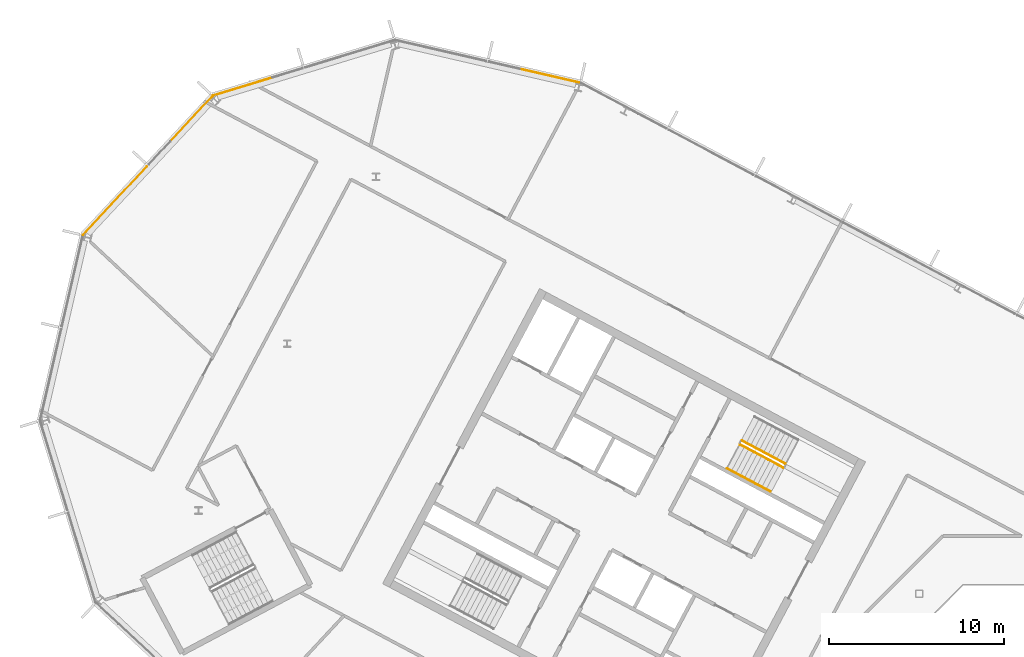
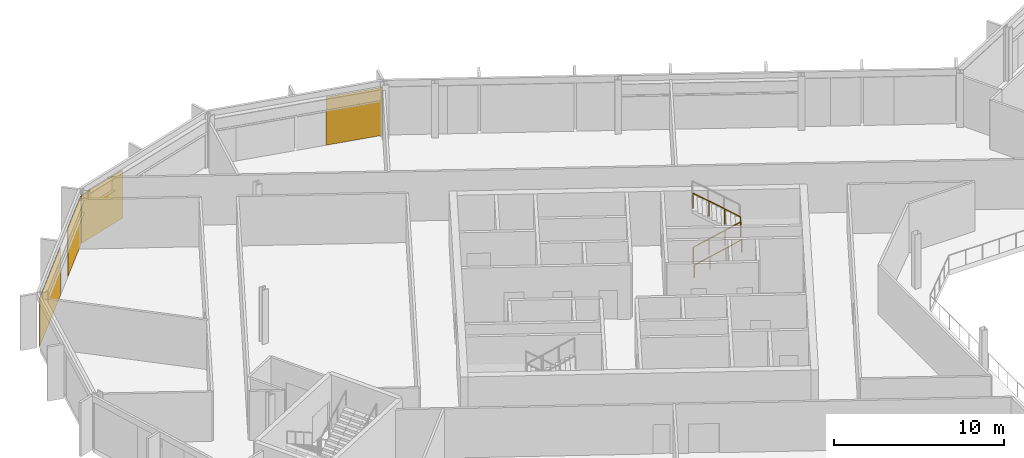
# One storey, part 22 of 26: 4 coverings, 3 railings, 3 elements without a shape of their own.
"""IFC4 building model written with IfcOpenShell, lengths in metres."""

from ifc_helpers import new_model, si_unit, direction, frame, origin, origin_2d, place, context, subcontext, project, spatial, polyline, rectangle, outline, extrude, material, layer, layer_set, type_object, element, aggregate, save


model = new_model("IFC4")

# Units and contexts
model_context = context("Model", 3, precision=1e-05, world=origin(), true_north=direction((0.0, 1.0)))
body_context = subcontext(model_context, "Body", "Model", "MODEL_VIEW")
ifc_project = project(units=[si_unit("LENGTHUNIT", "METRE"), si_unit("AREAUNIT", "SQUARE_METRE"), si_unit("VOLUMEUNIT", "CUBIC_METRE"), si_unit("PLANEANGLEUNIT", "RADIAN"), si_unit("MASSUNIT", "GRAM", prefix="KILO")], contexts=[model_context])

# Site, building, storey
site_placement = place(None, origin())
site = spatial("IfcSite", under=ifc_project, at=site_placement, CompositionType="ELEMENT")
building_placement = place(site_placement, origin())
building = spatial("IfcBuilding", under=site, at=building_placement, Name="Cormorant Relay Tower", CompositionType="ELEMENT")
storey_placement = place(building_placement, frame((0.0, 0.0, 277.5)))
storey = spatial("IfcBuildingStorey", under=building, at=storey_placement, Name="L62", CompositionType="ELEMENT", Elevation=277.5)

# Curtain wall, covering
ifc_material_1 = material(Name="Aluminium 6063-T6 anodised bronze", Category="aluminium")
ifc_layer_1 = layer(ifc_material_1, 0.199951171875)
ifc_layer_set_1 = layer_set([ifc_layer_1], Name="CW1 unitised bronze curtain wall with vertical fins")
curtain_wall_type = type_object("IfcCurtainWallType", Name="CW1 unitised bronze curtain wall with vertical fins", PredefinedType="NOTDEFINED", material=ifc_layer_set_1)
curtain_wall_1_placement = place(storey_placement, origin())
curtain_wall_1 = element("IfcCurtainWall", 1, at=curtain_wall_1_placement, inside=storey, type_object=curtain_wall_type, Name="CW1 curtain wall 10", PredefinedType="NOTDEFINED")
ifc_material_2 = material(Name="Pale bronze anodised aluminium insulated panel", Category="aluminium")
ifc_layer_2 = layer(ifc_material_2, 0.0400390625)
ifc_layer_set_2 = layer_set([ifc_layer_2], Name="CW1 pale bronze insulated panel 40")
covering_type = type_object("IfcCoveringType", Name="CW1 pale bronze insulated panel 40", PredefinedType="CLADDING", material=ifc_layer_set_2)
covering_1_placement = place(storey_placement, frame((-31.640380859375, 40.096435546875, 0.0), z_axis=(0.0, 0.0, 1.0), x_axis=(-0.974370064785, 0.224951054344, 0.0)))
covering_1 = element("IfcCovering", 2, at=covering_1_placement, type_object=covering_type, Name="CW1 panel S00", PredefinedType="CLADDING", context=body_context, shape_type="SweptSolid", body=[
    extrude(rectangle(XDim=3.485107421875, YDim=0.0400390625, at=origin_2d()), origin(), (0.0, 0.0, 1.0), 3.449951171875),
])
aggregate(curtain_wall_1, [covering_1])

curtain_wall_2_placement = place(storey_placement, origin())
curtain_wall_2 = element("IfcCurtainWall", 3, at=curtain_wall_2_placement, inside=storey, type_object=curtain_wall_type, Name="CW1 curtain wall 11", PredefinedType="NOTDEFINED")
covering_2_placement = place(storey_placement, frame((-49.16455078125, 39.474853515625, 0.0), z_axis=(0.0, 0.0, 1.0), x_axis=(-0.956304755963, -0.292371704723, 0.0)))
covering_2 = element("IfcCovering", 4, at=covering_2_placement, type_object=covering_type, Name="CW1 panel S02", PredefinedType="CLADDING", context=body_context, shape_type="SweptSolid", body=[
    extrude(rectangle(XDim=3.560302734375, YDim=0.0400390625, at=origin_2d()), origin(), (0.0, 0.0, 1.0), 3.449951171875),
])
aggregate(curtain_wall_2, [covering_2])

# Curtain wall, coverings
curtain_wall_3_placement = place(storey_placement, origin())
curtain_wall_3 = element("IfcCurtainWall", 5, at=curtain_wall_3_placement, inside=storey, type_object=curtain_wall_type, Name="CW1 curtain wall 12", PredefinedType="NOTDEFINED")
covering_3_placement = place(storey_placement, frame((-52.115234375, 37.61962890625, 0.0), z_axis=(0.0, 0.0, 1.0), x_axis=(-0.681998360062, -0.731353701619, 0.0)))
covering_3 = element("IfcCovering", 6, at=covering_3_placement, type_object=covering_type, Name="CW1 panel S00", PredefinedType="CLADDING", context=body_context, shape_type="SweptSolid", body=[
    extrude(rectangle(XDim=3.485107421875, YDim=0.0400390625, at=origin_2d()), origin(), (0.0, 0.0, 1.0), 3.449951171875),
])
covering_4_placement = place(storey_placement, frame((-56.461181640625, 32.958984375, 0.0), z_axis=(0.0, 0.0, 1.0), x_axis=(-0.681998360062, -0.731353701619, 0.0)))
covering_4 = element("IfcCovering", 7, at=covering_4_placement, type_object=covering_type, Name="CW1 panel S02", PredefinedType="CLADDING", context=body_context, shape_type="SweptSolid", body=[
    extrude(rectangle(XDim=5.360107421875, YDim=0.0400390625, at=origin_2d()), origin(), (0.0, 0.0, 1.0), 3.449951171875),
])
aggregate(curtain_wall_3, [covering_3, covering_4])

# Railings
ifc_material_3 = material(Name="Steel ASTM A572 Grade 50 (Fy 345 MPa)", Category="steel")
railing_type_1 = type_object("IfcRailingType", Name="Stair guard 1100", PredefinedType="GUARDRAIL", material=ifc_material_3)
railing_1_placement = place(storey_placement, frame((-20.75048828125, 19.017822265625, 0.17724609375)))
element("IfcRailing", 8, at=railing_1_placement, inside=storey, type_object=railing_type_1, Name="L62 A1 stair guard 1", PredefinedType="GUARDRAIL", context=body_context, shape_type="SweptSolid", body=[
    extrude(outline(polyline([(0.022216796875, 0.00927734375), (0.00927734375, 0.022216796875), (-0.00927734375, 0.022216796875), (-0.022216796875, 0.00927734375), (-0.022216796875, -0.00927734375), (-0.00927734375, -0.022216796875), (0.00927734375, -0.022216796875), (0.022216796875, -0.00927734375), (0.022216796875, 0.00927734375)])), frame((0.0, 0.0, 1.076171875), z_axis=(0.746001213114, -0.396649272309, 0.534931345884), x_axis=(0.469465464807, 0.882950835185, 0.0)), (0.0, 0.0, 1.0), 3.31396484375),
    extrude(outline(polyline([(0.019287109375, 0.008056640625), (0.008056640625, 0.019287109375), (-0.008056640625, 0.019287109375), (-0.019287109375, 0.008056640625), (-0.019287109375, -0.008056640625), (-0.008056640625, -0.019287109375), (0.008056640625, -0.019287109375), (0.019287109375, -0.008056640625), (0.019287109375, 0.008056640625)])), origin(), (0.0, 0.0, 1.0), 1.052001953125),
    extrude(outline(polyline([(0.019287109375, 0.008056640625), (0.008056640625, 0.019287109375), (-0.008056640625, 0.019287109375), (-0.019287109375, 0.008056640625), (-0.019287109375, -0.008056640625), (-0.008056640625, -0.019287109375), (0.008056640625, -0.019287109375), (0.019287109375, -0.008056640625), (0.019287109375, 0.008056640625)])), frame((0.823974609375, -0.438232421875, 0.5908203125)), (0.0, 0.0, 1.0), 1.052001953125),
    extrude(outline(polyline([(0.019287109375, 0.008056640625), (0.008056640625, 0.019287109375), (-0.008056640625, 0.019287109375), (-0.019287109375, 0.008056640625), (-0.019287109375, -0.008056640625), (-0.008056640625, -0.019287109375), (0.008056640625, -0.019287109375), (0.019287109375, -0.008056640625), (0.019287109375, 0.008056640625)])), frame((1.648193359375, -0.876220703125, 1.181884765625)), (0.0, 0.0, 1.0), 1.052001953125),
    extrude(outline(polyline([(0.019287109375, 0.008056640625), (0.008056640625, 0.019287109375), (-0.008056640625, 0.019287109375), (-0.019287109375, 0.008056640625), (-0.019287109375, -0.008056640625), (-0.008056640625, -0.019287109375), (0.008056640625, -0.019287109375), (0.019287109375, -0.008056640625), (0.019287109375, 0.008056640625)])), frame((2.47216796875, -1.314453125, 1.772705078125)), (0.0, 0.0, 1.0), 1.052001953125),
])
railing_2_placement = place(storey_placement, frame((-18.160888671875, 17.924072265625, 2.127197265625)))
element("IfcRailing", 9, at=railing_2_placement, inside=storey, type_object=railing_type_1, Name="L62 A1 stair guard 3", PredefinedType="GUARDRAIL", context=body_context, shape_type="SweptSolid", body=[
    extrude(outline(polyline([(0.022216796875, 0.00927734375), (0.00927734375, 0.022216796875), (-0.00927734375, 0.022216796875), (-0.022216796875, 0.00927734375), (-0.022216796875, -0.00927734375), (-0.00927734375, -0.022216796875), (0.00927734375, -0.022216796875), (0.022216796875, -0.00927734375), (0.022216796875, 0.00927734375)])), frame((0.0, 0.0, 1.076171875), z_axis=(-0.746033882577, 0.396627473466, 0.534901947407), x_axis=(-0.469429322983, -0.882970050864, 0.0)), (0.0, 0.0, 1.0), 3.31396484375),
    extrude(outline(polyline([(0.019287109375, 0.008056640625), (0.008056640625, 0.019287109375), (-0.008056640625, 0.019287109375), (-0.019287109375, 0.008056640625), (-0.019287109375, -0.008056640625), (-0.008056640625, -0.019287109375), (0.008056640625, -0.019287109375), (0.019287109375, -0.008056640625), (0.019287109375, 0.008056640625)])), origin(), (0.0, 0.0, 1.0), 1.052001953125),
    extrude(outline(polyline([(0.019287109375, 0.008056640625), (0.008056640625, 0.019287109375), (-0.008056640625, 0.019287109375), (-0.019287109375, 0.008056640625), (-0.019287109375, -0.008056640625), (-0.008056640625, -0.019287109375), (0.008056640625, -0.019287109375), (0.019287109375, -0.008056640625), (0.019287109375, 0.008056640625)])), frame((-0.82421875, 0.438232421875, 0.5908203125)), (0.0, 0.0, 1.0), 1.052001953125),
    extrude(outline(polyline([(0.019287109375, 0.008056640625), (0.008056640625, 0.019287109375), (-0.008056640625, 0.019287109375), (-0.019287109375, 0.008056640625), (-0.019287109375, -0.008056640625), (-0.008056640625, -0.019287109375), (0.008056640625, -0.019287109375), (0.019287109375, -0.008056640625), (0.019287109375, 0.008056640625)])), frame((-1.648193359375, 0.876220703125, 1.181884765625)), (0.0, 0.0, 1.0), 1.052001953125),
    extrude(outline(polyline([(0.019287109375, 0.008056640625), (0.008056640625, 0.019287109375), (-0.008056640625, 0.019287109375), (-0.019287109375, 0.008056640625), (-0.019287109375, -0.008056640625), (-0.008056640625, -0.019287109375), (0.008056640625, -0.019287109375), (0.019287109375, -0.008056640625), (0.019287109375, 0.008056640625)])), frame((-2.472412109375, 1.314453125, 1.772705078125)), (0.0, 0.0, 1.0), 1.052001953125),
])
ifc_material_4 = material(Name="Steel ASTM A572 Grade 50 (Fy 345 MPa)", Category="steel")
railing_type_2 = type_object("IfcRailingType", Name="Stair handrail 900", PredefinedType="HANDRAIL", material=ifc_material_4)
railing_3_placement = place(storey_placement, frame((-21.478271484375, 17.6494140625, 0.17724609375)))
element("IfcRailing", 10, at=railing_3_placement, inside=storey, type_object=railing_type_2, Name="L62 A1 stair handrail 1", PredefinedType="HANDRAIL", context=body_context, shape_type="SweptSolid", body=[
    extrude(outline(polyline([(0.022216796875, 0.00927734375), (0.00927734375, 0.022216796875), (-0.00927734375, 0.022216796875), (-0.022216796875, 0.00927734375), (-0.022216796875, -0.00927734375), (-0.00927734375, -0.022216796875), (0.00927734375, -0.022216796875), (0.022216796875, -0.00927734375), (0.022216796875, 0.00927734375)])), frame((0.0, 0.0, 0.8759765625), z_axis=(0.746012083385, -0.396689549623, 0.534886317514), x_axis=(0.469497295046, 0.882933910293, 0.0)), (0.0, 0.0, 1.0), 3.314208984375),
    extrude(outline(polyline([(0.019287109375, 0.008056640625), (0.008056640625, 0.019287109375), (-0.008056640625, 0.019287109375), (-0.019287109375, 0.008056640625), (-0.019287109375, -0.008056640625), (-0.008056640625, -0.019287109375), (0.008056640625, -0.019287109375), (0.019287109375, -0.008056640625), (0.019287109375, 0.008056640625)])), origin(), (0.0, 0.0, 1.0), 0.851806640625),
    extrude(outline(polyline([(0.019287109375, 0.008056640625), (0.008056640625, 0.019287109375), (-0.008056640625, 0.019287109375), (-0.019287109375, 0.008056640625), (-0.019287109375, -0.008056640625), (-0.008056640625, -0.019287109375), (0.008056640625, -0.019287109375), (0.019287109375, -0.008056640625), (0.019287109375, 0.008056640625)])), frame((0.82421875, -0.438232421875, 0.5908203125)), (0.0, 0.0, 1.0), 0.851806640625),
    extrude(outline(polyline([(0.019287109375, 0.008056640625), (0.008056640625, 0.019287109375), (-0.008056640625, 0.019287109375), (-0.019287109375, 0.008056640625), (-0.019287109375, -0.008056640625), (-0.008056640625, -0.019287109375), (0.008056640625, -0.019287109375), (0.019287109375, -0.008056640625), (0.019287109375, 0.008056640625)])), frame((1.648193359375, -0.87646484375, 1.181884765625)), (0.0, 0.0, 1.0), 0.851806640625),
    extrude(outline(polyline([(0.019287109375, 0.008056640625), (0.008056640625, 0.019287109375), (-0.008056640625, 0.019287109375), (-0.019287109375, 0.008056640625), (-0.019287109375, -0.008056640625), (-0.008056640625, -0.019287109375), (0.008056640625, -0.019287109375), (0.019287109375, -0.008056640625), (0.019287109375, 0.008056640625)])), frame((2.472412109375, -1.314697265625, 1.772705078125)), (0.0, 0.0, 1.0), 0.851806640625),
])

save(model, "model.ifc")
